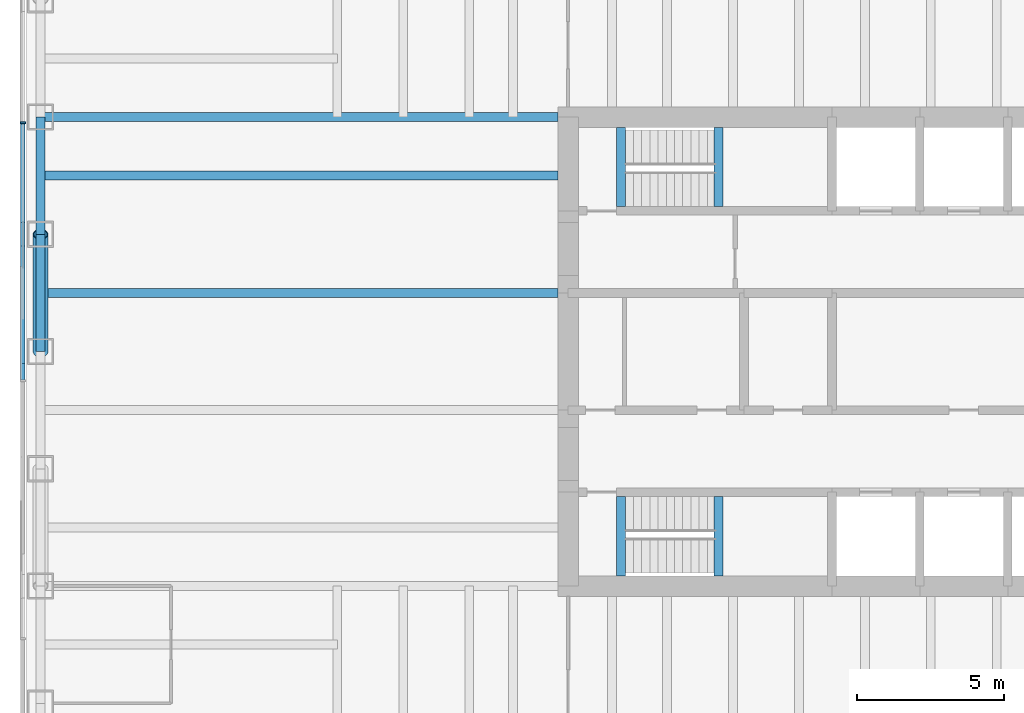
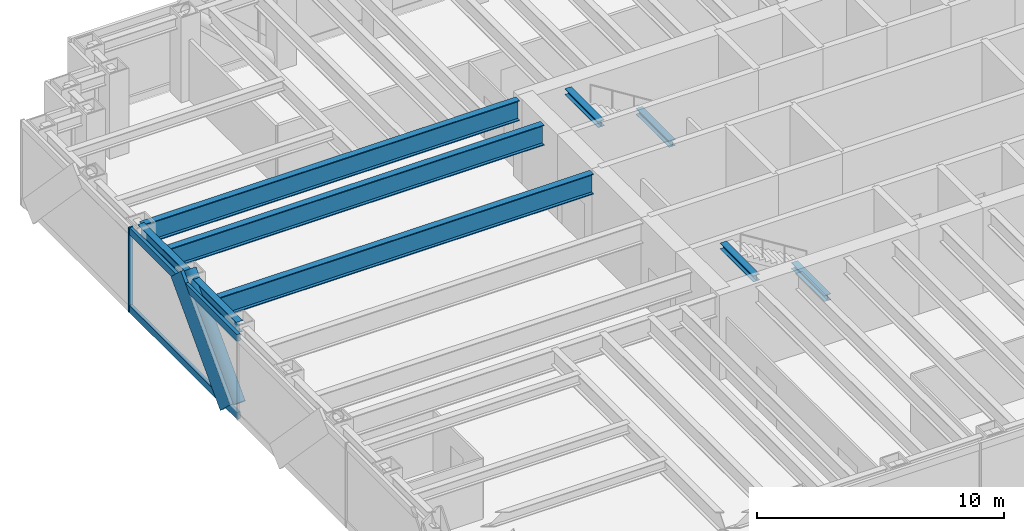
# One storey, part 3 of 15: 9 beams, 5 members, 1 element without a shape of its own.
"""IFC4 building model written with IfcOpenShell, lengths in metres."""

from ifc_helpers import new_model, si_unit, direction, frame, origin, origin_2d, place, context, subcontext, project, spatial, rectangle, hollow_circle, i_section, extrude, material, material_profile, profile_set, type_object, element, aggregate, save


model = new_model("IFC4")

# Units and contexts
model_context = context("Model", 3, precision=1e-05, world=origin(), true_north=direction((0.0, 1.0)))
body_context = subcontext(model_context, "Body", "Model", "MODEL_VIEW")
ifc_project = project(units=[si_unit("LENGTHUNIT", "METRE"), si_unit("AREAUNIT", "SQUARE_METRE"), si_unit("VOLUMEUNIT", "CUBIC_METRE"), si_unit("PLANEANGLEUNIT", "RADIAN"), si_unit("MASSUNIT", "GRAM", prefix="KILO")], contexts=[model_context])

# Site, building, storey
site_placement = place(None, origin())
site = spatial("IfcSite", under=ifc_project, at=site_placement, CompositionType="ELEMENT")
building_placement = place(site_placement, origin())
building = spatial("IfcBuilding", under=site, at=building_placement, Name="Rheinbord Bourse Tower", CompositionType="ELEMENT")
storey_placement = place(building_placement, frame((0.0, 0.0, 296.300048828125)))
storey = spatial("IfcBuildingStorey", under=building, at=storey_placement, Name="L67", CompositionType="ELEMENT", Elevation=296.300048828125)

# Curtain wall, members
ifc_material_1 = material(Name="Dark glass and black aluminium", Category="aluminium")
curtain_wall_type = type_object("IfcCurtainWallType", Name="CW3 DARK GLASS CURTAIN WALL", PredefinedType="USERDEFINED", material=ifc_material_1)
curtain_wall_placement = place(storey_placement, origin())
curtain_wall = element("IfcCurtainWall", 1, at=curtain_wall_placement, inside=storey, type_object=curtain_wall_type, Name="Curtain wall CW3 W L67", ObjectType="UNITISED CURTAIN WALL", PredefinedType="USERDEFINED")
ifc_material_2 = material(Name="Black anodised aluminium", Category="aluminium")
ifc_material_profile_1 = material_profile(ifc_material_2, rectangle(XDim=0.14990234375, YDim=1.10791015625, at=origin_2d()), Name="CW3 DIAGONAL MULLION 1108x150")
ifc_profile_set_1 = profile_set([ifc_material_profile_1], Name="Black anodised aluminium")
member_type_1 = type_object("IfcMemberType", Name="CW3 BLACK DIAGONAL MULLION", PredefinedType="USERDEFINED", material=ifc_profile_set_1)
member_1_placement = place(storey_placement, frame((-0.60009765625, 24.0, 0.0), z_axis=(0.0, 0.689659376744, 0.724133926887), x_axis=(-1.0, 0.0, 0.0)))
member_1 = element("IfcMember", 2, at=member_1_placement, type_object=member_type_1, Name="CW3 diagonal mullion b", ObjectType="DIAGONAL MULLION", PredefinedType="USERDEFINED", context=body_context, shape_type="SweptSolid", body=[
    extrude(rectangle(XDim=0.14990234375, YDim=1.10791015625, at=origin_2d()), origin(), (0.0, 0.0, 1.0), 5.800048828125),
])
ifc_material_3 = material(Name="Black anodised aluminium", Category="aluminium")
ifc_material_profile_2 = material_profile(ifc_material_3, rectangle(XDim=0.199951171875, YDim=0.06494140625, at=origin_2d()), Name="CW3 MULLION 65x200")
ifc_profile_set_2 = profile_set([ifc_material_profile_2], Name="Black anodised aluminium")
member_type_2 = type_object("IfcMemberType", Name="CW3 BLACK MULLION", PredefinedType="MULLION", material=ifc_profile_set_2)
member_2_placement = place(storey_placement, frame((-0.60009765625, 31.800048828125, 0.0), z_axis=(0.0, 0.0, 1.0), x_axis=(1.0, 0.0, 0.0)))
member_2 = element("IfcMember", 3, at=member_2_placement, type_object=member_type_2, Name="CW3 mullion 2", PredefinedType="MULLION", context=body_context, shape_type="SweptSolid", body=[
    extrude(rectangle(XDim=0.199951171875, YDim=0.06494140625, at=origin_2d()), origin(), (0.0, 0.0, 1.0), 4.199951171875),
])
ifc_material_4 = material(Name="Black anodised aluminium", Category="aluminium")
ifc_material_profile_3 = material_profile(ifc_material_4, rectangle(XDim=0.14990234375, YDim=0.35009765625, at=origin_2d()), Name="CW3 TRANSOM 350x150")
ifc_profile_set_3 = profile_set([ifc_material_profile_3], Name="Black anodised aluminium")
member_type_3 = type_object("IfcMemberType", Name="CW3 BLACK TRANSOM", PredefinedType="USERDEFINED", material=ifc_profile_set_3)
member_3_placement = place(storey_placement, frame((-0.60009765625, 31.767578125, 0.175048828125), z_axis=(0.0, -1.0, 0.0), x_axis=(1.0, 0.0, 0.0)))
member_3 = element("IfcMember", 4, at=member_3_placement, type_object=member_type_3, Name="CW3 transom 2.1", ObjectType="TRANSOM", PredefinedType="USERDEFINED", context=body_context, shape_type="SweptSolid", body=[
    extrude(rectangle(XDim=0.14990234375, YDim=0.35009765625, at=origin_2d()), origin(), (0.0, 0.0, 1.0), 8.735107421875),
])
member_4_placement = place(storey_placement, frame((-0.60009765625, 31.767578125, 4.02490234375), z_axis=(0.0, -1.0, 0.0), x_axis=(1.0, 0.0, 0.0)))
member_4 = element("IfcMember", 5, at=member_4_placement, type_object=member_type_3, Name="CW3 transom 2.2", ObjectType="TRANSOM", PredefinedType="USERDEFINED", context=body_context, shape_type="SweptSolid", body=[
    extrude(rectangle(XDim=0.14990234375, YDim=0.35009765625, at=origin_2d()), origin(), (0.0, 0.0, 1.0), 8.735107421875),
])
aggregate(curtain_wall, [member_2, member_3, member_4, member_1])

# Beams
ifc_material_5 = material(Name="Steel S460", Category="steel")
ifc_material_profile_4 = material_profile(ifc_material_5, i_section(OverallWidth=0.302001953125, OverallDepth=1.008056640625, WebThickness=0.02099609375, FlangeThickness=0.0400390625, at=origin_2d()), Name="HEM 1000")
ifc_profile_set_4 = profile_set([ifc_material_profile_4], Name="Steel S460")
beam_type_1 = type_object("IfcBeamType", Name="END BEAM HEM 1000", PredefinedType="BEAM", material=ifc_profile_set_4)
for number, where, z_axis, x_axis, name in (
    (6, (0.0, 26.0, 3.535888671875), (1.0, 0.0, 0.0), (0.0, 1.0, 0.0), "End beam west 26 L68"),
    (7, (0.0, 30.0, 3.535888671875), (1.0, 0.0, 0.0), (0.0, 1.0, 0.0), "End beam west 30 L68"),
):
    element("IfcBeam", number, at=place(storey_placement, frame(where, z_axis=z_axis, x_axis=x_axis)), inside=storey, type_object=beam_type_1, Name=name, PredefinedType="BEAM", context=body_context, shape_type="SweptSolid", body=[
        extrude(i_section(OverallWidth=0.302001953125, OverallDepth=1.008056640625, WebThickness=0.02099609375, FlangeThickness=0.0400390625, at=origin_2d()), origin(), (0.0, 0.0, 1.0), 17.64990234375),
    ])
ifc_material_6 = material(Name="Steel S460", Category="steel")
ifc_material_profile_5 = material_profile(ifc_material_6, i_section(OverallWidth=0.302001953125, OverallDepth=1.008056640625, WebThickness=0.02099609375, FlangeThickness=0.0400390625, at=origin_2d()), Name="HEM 1000")
ifc_profile_set_5 = profile_set([ifc_material_profile_5], Name="Steel S460")
beam_type_2 = type_object("IfcBeamType", Name="GIRDER HEM 1000", PredefinedType="BEAM", material=ifc_profile_set_5)
beam_placement = place(storey_placement, frame((0.0, 32.0, 3.535888671875), z_axis=(1.0, 0.0, 0.0), x_axis=(0.0, 1.0, 0.0)))
element("IfcBeam", 8, at=beam_placement, inside=storey, type_object=beam_type_2, Name="Girder west 32 L68", PredefinedType="BEAM", context=body_context, shape_type="SweptSolid", body=[
    extrude(i_section(OverallWidth=0.302001953125, OverallDepth=1.008056640625, WebThickness=0.02099609375, FlangeThickness=0.0400390625, at=origin_2d()), origin(), (0.0, 0.0, 1.0), 17.64990234375),
])
ifc_material_7 = material(Name="Steel S460", Category="steel")
ifc_material_profile_6 = material_profile(ifc_material_7, i_section(OverallWidth=0.300048828125, OverallDepth=0.300048828125, WebThickness=0.010986328125, FlangeThickness=0.01904296875, at=origin_2d()), Name="HEB 300")
ifc_profile_set_6 = profile_set([ifc_material_profile_6], Name="Steel S460")
beam_type_3 = type_object("IfcBeamType", Name="LANDING TRIMMER HEB 300", PredefinedType="BEAM", material=ifc_profile_set_6)
for number, where, z_axis, x_axis, name in (
    (9, (23.1298828125, 16.35009765625, 1.75), (0.0, 1.0, 0.0), (-1.0, 0.0, 0.0), "Landing trimmer ST1 L67"),
    (10, (19.800048828125, 16.35009765625, 3.889892578125), (0.0, 1.0, 0.0), (-1.0, 0.0, 0.0), "Well trimmer ST1 under L68"),
    (11, (23.1298828125, 28.949951171875, 1.75), (0.0, 1.0, 0.0), (-1.0, 0.0, 0.0), "Landing trimmer ST2 L67"),
    (12, (19.800048828125, 28.949951171875, 3.889892578125), (0.0, 1.0, 0.0), (-1.0, 0.0, 0.0), "Well trimmer ST2 under L68"),
):
    element("IfcBeam", number, at=place(storey_placement, frame(where, z_axis=z_axis, x_axis=x_axis)), inside=storey, type_object=beam_type_3, Name=name, PredefinedType="BEAM", context=body_context, shape_type="SweptSolid", body=[
        extrude(i_section(OverallWidth=0.300048828125, OverallDepth=0.300048828125, WebThickness=0.010986328125, FlangeThickness=0.01904296875, at=origin_2d()), origin(), (0.0, 0.0, 1.0), 2.699951171875),
    ])

# Member
ifc_material_8 = material(Name="Steel S460", Category="steel")
ifc_material_profile_7 = material_profile(ifc_material_8, hollow_circle(Radius=0.25390625, WallThickness=0.030029296875, at=origin_2d()), Name="CHS 508x30")
ifc_profile_set_7 = profile_set([ifc_material_profile_7], Name="Steel S460")
member_type_4 = type_object("IfcMemberType", Name="MEGABRACE CHS 508x30", PredefinedType="BRACE", material=ifc_profile_set_7)
member_5_placement = place(storey_placement, frame((0.0, 24.0, 0.0), z_axis=(0.0, 0.689659376744, 0.724133926887), x_axis=(-1.0, 0.0, 0.0)))
element("IfcMember", 13, at=member_5_placement, inside=storey, type_object=member_type_4, Name="Megabrace W face line b L67", PredefinedType="BRACE", context=body_context, shape_type="SweptSolid", body=[
    extrude(hollow_circle(Radius=0.25390625, WallThickness=0.030029296875, at=origin_2d()), origin(), (0.0, 0.0, 1.0), 5.800048828125),
])

# Beams
ifc_material_9 = material(Name="Steel S460", Category="steel")
ifc_material_profile_8 = material_profile(ifc_material_9, i_section(OverallWidth=0.300048828125, OverallDepth=0.550048828125, WebThickness=0.014892578125, FlangeThickness=0.029052734375, at=origin_2d()), Name="HEB 550")
ifc_profile_set_8 = profile_set([ifc_material_profile_8], Name="Steel S460")
beam_type_4 = type_object("IfcBeamType", Name="SPANDREL HEB 550", PredefinedType="SPANDREL", material=ifc_profile_set_8)
for number, where, z_axis, x_axis, name in (
    (14, (0.0, 32.0, 3.764892578125), (0.0, -1.0, 0.0), (1.0, 0.0, 0.0), "Spandrel W-32-W-28 under L68"),
    (15, (0.0, 28.0, 3.764892578125), (0.0, -1.0, 0.0), (1.0, 0.0, 0.0), "Spandrel W-28-W-24 under L68"),
):
    element("IfcBeam", number, at=place(storey_placement, frame(where, z_axis=z_axis, x_axis=x_axis)), inside=storey, type_object=beam_type_4, Name=name, PredefinedType="SPANDREL", context=body_context, shape_type="SweptSolid", body=[
        extrude(i_section(OverallWidth=0.300048828125, OverallDepth=0.550048828125, WebThickness=0.014892578125, FlangeThickness=0.029052734375, at=origin_2d()), origin(), (0.0, 0.0, 1.0), 4.0),
    ])

save(model, "model.ifc")
